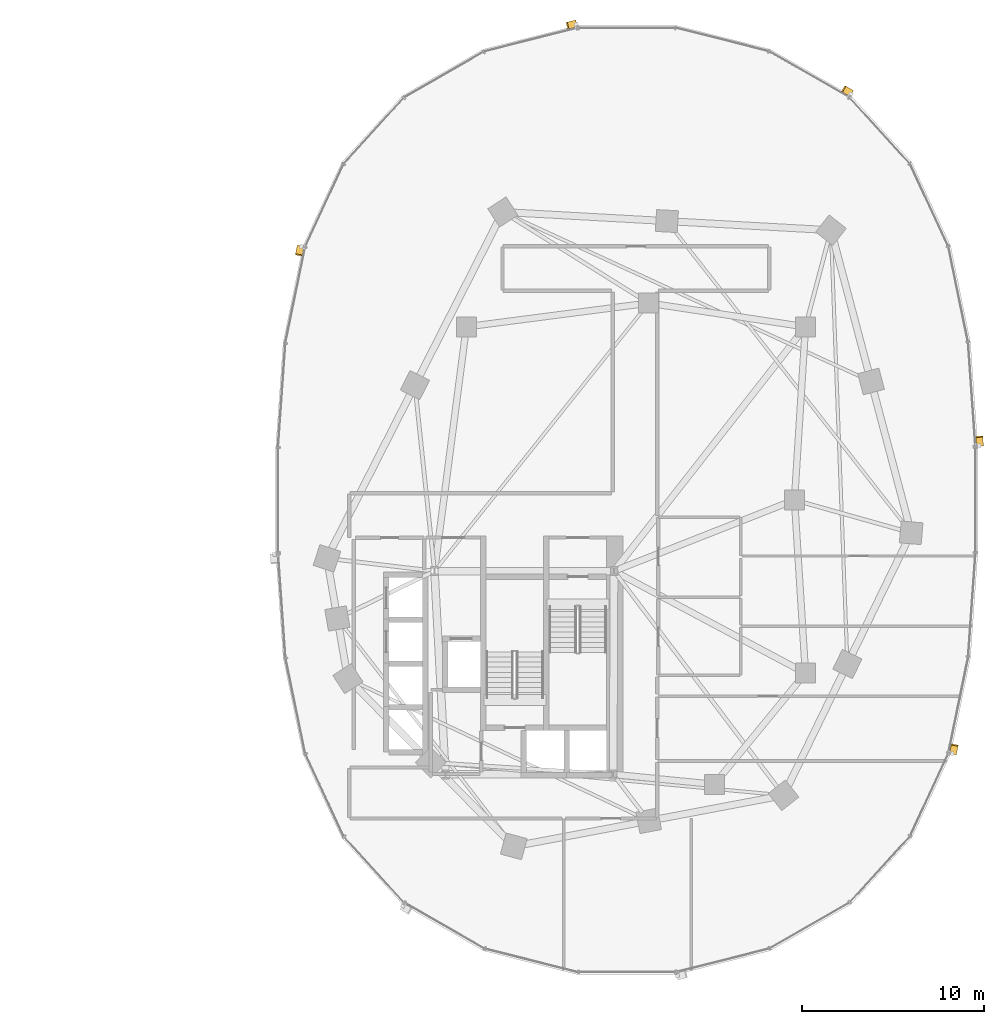
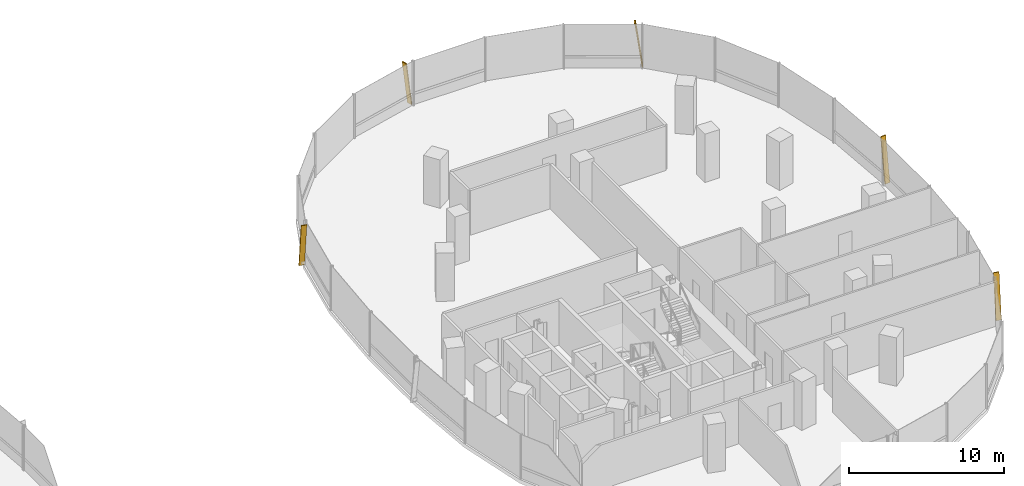
# One storey, part 21 of 21: 5 shading devices.
"""IFC4 building model written with IfcOpenShell, lengths in metres."""

from ifc_helpers import new_model, si_unit, direction, frame, origin, origin_2d, place, context, subcontext, project, spatial, rectangle, extrude, material, material_profile, profile_set, type_object, element, save


model = new_model("IFC4")

# Units and contexts
model_context = context("Model", 3, precision=1e-05, world=origin(), true_north=direction((0.0, 1.0)))
body_context = subcontext(model_context, "Body", "Model", "MODEL_VIEW")
ifc_project = project(units=[si_unit("LENGTHUNIT", "METRE"), si_unit("AREAUNIT", "SQUARE_METRE"), si_unit("VOLUMEUNIT", "CUBIC_METRE"), si_unit("PLANEANGLEUNIT", "RADIAN"), si_unit("MASSUNIT", "GRAM", prefix="KILO"), si_unit("THERMODYNAMICTEMPERATUREUNIT", "KELVIN"), si_unit("POWERUNIT", "WATT")], contexts=[model_context])

# Site, building, storey
site_placement = place(None, origin())
site = spatial("IfcSite", under=ifc_project, at=site_placement, CompositionType="ELEMENT")
building_placement = place(site_placement, origin())
building = spatial("IfcBuilding", under=site, at=building_placement, Name="Cundina Bronze Exchange", CompositionType="ELEMENT")
storey_placement = place(building_placement, frame((0.0, 0.0, 31.60009765625)))
storey = spatial("IfcBuildingStorey", under=building, at=storey_placement, Name="L07", CompositionType="ELEMENT", Elevation=31.60009765625)

# Shading devices
ifc_material = material(Name="Anodised Bronze Aluminium 6063-T6", Category="aluminium")
ifc_material_profile = material_profile(ifc_material, rectangle(XDim=0.070068359375, YDim=0.3798828125, at=origin_2d()), Name="FIN70X380", Category="aluminium")
ifc_profile_set = profile_set([ifc_material_profile], Name="Anodised Bronze Aluminium 6063-T6")
shading_device_type = type_object("IfcShadingDeviceType", Name="SHD-FIN-BRZ380", PredefinedType="USERDEFINED", material=ifc_profile_set)
for number, where, z_axis, x_axis, name in (
    (1, (51.3740234375, 2.993896484375, 0.02001953125), (-0.009645159174, 0.137059109714, 0.990515911709), (0.06953288269, -0.988072340253, 0.137398066402), "L07 Diagonal Bronze Solar Fin 1"),
    (2, (44.314208984375, 22.314208984375, 0.02001953125), (-0.119166378275, 0.06842456559, 0.990513731915), (0.85898178632, -0.493221799887, 0.137413779831), "L07 Diagonal Bronze Solar Fin 5"),
    (3, (29.212646484375, 26.138427734375, 0.02001953125), (-0.133214830938, -0.033688115694, 0.990514472221), (0.960284642503, 0.242842181368, 0.137408443412), "L07 Diagonal Bronze Solar Fin 1"),
    (4, (14.10400390625, 13.911865234375, 0.02001953125), (-0.027747134956, -0.134612045151, 0.990509815096), (0.199966585563, 0.970114971774, 0.137442010309), "L07 Diagonal Bronze Solar Fin 5"),
    (5, (49.89599609375, -13.911865234375, 0.02001953125), (0.027747134956, 0.134612045151, 0.990509815096), (-0.199966585563, -0.970114971774, 0.137442010309), "L07 Diagonal Bronze Solar Fin 5"),
):
    element("IfcShadingDevice", number, at=place(storey_placement, frame(where, z_axis=z_axis, x_axis=x_axis)), inside=storey, type_object=shading_device_type, Name=name, ObjectType="FIN", PredefinedType="USERDEFINED", context=body_context, shape_type="SweptSolid", body=[
        extrude(rectangle(XDim=0.070068359375, YDim=0.3798828125, at=origin_2d()), origin(), (0.0, 0.0, 1.0), 3.4931640625),
    ])

save(model, "model.ifc")
